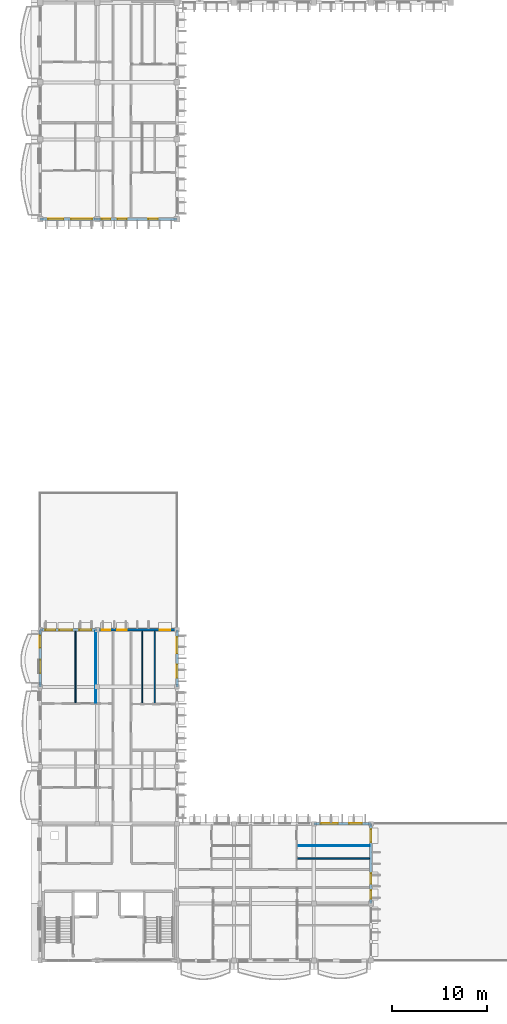
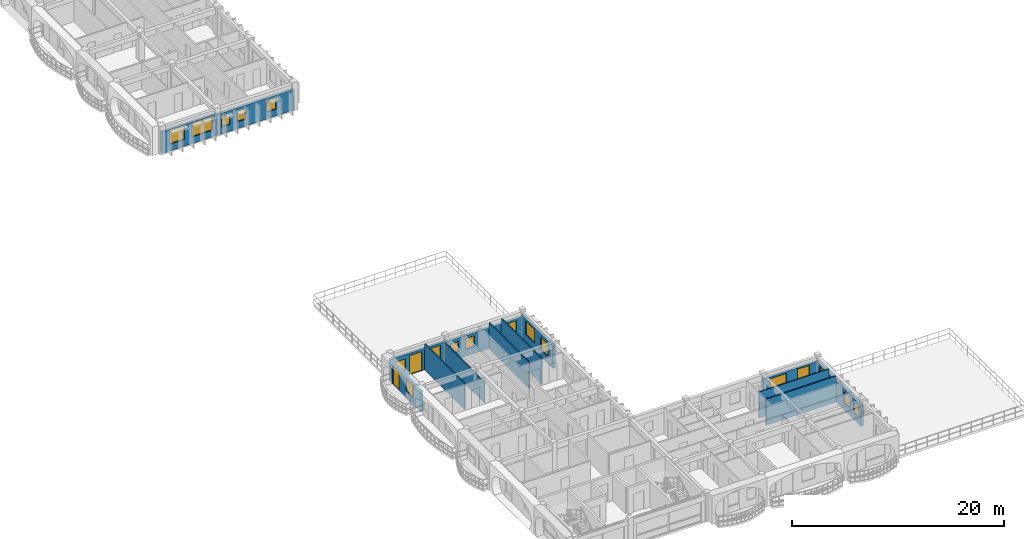
# One storey, part 16 of 59: 16 windows, 14 walls, 4 doors, 20 openings.
"""IFC4 building model written with IfcOpenShell, lengths in metres."""

from ifc_helpers import new_model, si_unit, direction, frame, frame_2d, origin, place, context, subcontext, project, spatial, rectangle, extrude, material, layer, layer_set, type_object, element, fill, save


model = new_model("IFC4")

# Units and contexts
model_context = context("Model", 3, precision=1e-05, world=origin(), true_north=direction((0.0, 1.0)))
body_context = subcontext(model_context, "Body", "Model", "MODEL_VIEW")
ifc_project = project(units=[si_unit("LENGTHUNIT", "METRE"), si_unit("AREAUNIT", "SQUARE_METRE"), si_unit("VOLUMEUNIT", "CUBIC_METRE"), si_unit("PLANEANGLEUNIT", "RADIAN"), si_unit("MASSUNIT", "GRAM", prefix="KILO"), si_unit("THERMODYNAMICTEMPERATUREUNIT", "KELVIN")], contexts=[model_context])

# Site, building, storey
site_placement = place(None, origin())
site = spatial("IfcSite", under=ifc_project, at=site_placement, CompositionType="ELEMENT")
building_placement = place(site_placement, origin())
building = spatial("IfcBuilding", under=site, at=building_placement, Name="Thalorik Housing Commons", CompositionType="ELEMENT")
storey_placement = place(building_placement, frame((0.0, 0.0, 27.89990234375)))
storey = spatial("IfcBuildingStorey", under=building, at=storey_placement, Name="L08", CompositionType="ELEMENT", Elevation=27.89990234375)

# Wall, openings, windows
ifc_material_1 = material(Name="White precast concrete C40/50", Category="concrete")
ifc_layer_1 = layer(ifc_material_1, 0.264892578125, Name="White precast concrete C40/50", Category="concrete")
ifc_layer_set_1 = layer_set([ifc_layer_1], Name="White precast concrete C40/50")
wall_type_1 = type_object("IfcWallType", Name="ARC-WAL-EXT-265", PredefinedType="STANDARD", material=ifc_layer_set_1)
wall_1_placement = place(storey_placement, frame((22.800048828125, 37.199951171875, 0.0), z_axis=(0.0, 0.0, 1.0), x_axis=(0.0, 1.0, 0.0)))
wall_1 = element("IfcWall", 1, at=wall_1_placement, inside=storey, type_object=wall_type_1, Name="L08 Exterior Wall WAL-EXT-L08-C-1047", PredefinedType="STANDARD", context=body_context, shape_type="SweptSolid", body=[
    extrude(rectangle(XDim=6.0, YDim=0.264892578125, at=frame_2d((3.0, 0.0))), origin(), (0.0, 0.0, 1.0), 2.5751953125),
])
opening_1_placement = place(wall_1_placement, frame((0.929931640625, 0.0, 0.780029296875)))
opening_1 = element("IfcOpeningElement", 2, at=opening_1_placement, cuts=wall_1, Name="Opening W-08", PredefinedType="OPENING", context=body_context, shape_type="SweptSolid", body=[
    extrude(rectangle(XDim=1.39990234375, YDim=1.449951171875, at=frame_2d((0.699951171875, 0.72509765625))), frame((0.0, 0.142578125, 0.0), z_axis=(0.0, -1.0, 0.0), x_axis=(1.0, 0.0, 0.0)), (0.0, 0.0, 1.0), 0.284912109375),
])
opening_2_placement = place(wall_1_placement, frame((3.52001953125, 0.0, 0.780029296875)))
opening_2 = element("IfcOpeningElement", 3, at=opening_2_placement, cuts=wall_1, Name="Opening W-16", PredefinedType="OPENING", context=body_context, shape_type="SweptSolid", body=[
    extrude(rectangle(XDim=1.699951171875, YDim=1.60009765625, at=frame_2d((0.85009765625, 0.800048828125))), frame((0.0, 0.142578125, 0.0), z_axis=(0.0, -1.0, 0.0), x_axis=(1.0, 0.0, 0.0)), (0.0, 0.0, 1.0), 0.284912109375),
])
ifc_material_2 = material(Name="Anodised aluminium and solar-control low-E glass", Category="aluminium")
window_type_1 = type_object("IfcWindowType", Name="ARC-WIN-08", PartitioningType="SINGLE_PANEL", PredefinedType="WINDOW", material=ifc_material_2)
window_1_placement = place(opening_1_placement, origin())
window_1 = element("IfcWindow", 4, at=window_1_placement, inside=storey, type_object=window_type_1, Name="L08 Facade Window 1934", OverallHeight=1.449951171875, OverallWidth=1.39990234375, PartitioningType="SINGLE_PANEL", PredefinedType="WINDOW", context=body_context, shape_type="SweptSolid", body=[
    extrude(rectangle(XDim=1.39990234375, YDim=1.449951171875, at=frame_2d((0.699951171875, 0.72509765625))), frame((0.0, 0.030029296875, 0.0), z_axis=(0.0, -1.0, 0.0), x_axis=(1.0, 0.0, 0.0)), (0.0, 0.0, 1.0), 0.06005859375),
])
fill(opening_1, window_1)
window_type_2 = type_object("IfcWindowType", Name="ARC-WIN-16", PartitioningType="DOUBLE_PANEL_VERTICAL", PredefinedType="WINDOW", material=ifc_material_2)
window_2_placement = place(opening_2_placement, origin())
window_2 = element("IfcWindow", 5, at=window_2_placement, inside=storey, type_object=window_type_2, Name="L08 Facade Window 1935", OverallHeight=1.60009765625, OverallWidth=1.699951171875, PartitioningType="DOUBLE_PANEL_VERTICAL", PredefinedType="WINDOW", context=body_context, shape_type="SweptSolid", body=[
    extrude(rectangle(XDim=1.699951171875, YDim=1.60009765625, at=frame_2d((0.85009765625, 0.800048828125))), frame((0.0, 0.030029296875, 0.0), z_axis=(0.0, -1.0, 0.0), x_axis=(1.0, 0.0, 0.0)), (0.0, 0.0, 1.0), 0.06005859375),
])
fill(opening_2, window_2)

# Wall, openings, door, windows
wall_2_placement = place(storey_placement, frame((22.800048828125, 43.199951171875, 0.0), z_axis=(0.0, 0.0, 1.0), x_axis=(-1.0, 0.0, 0.0)))
wall_2 = element("IfcWall", 6, at=wall_2_placement, inside=storey, type_object=wall_type_1, Name="L08 Exterior Wall WAL-EXT-L08-C-1048", PredefinedType="STANDARD", context=body_context, shape_type="SweptSolid", body=[
    extrude(rectangle(XDim=8.400146484375, YDim=0.264892578125, at=frame_2d((4.2001953125, 0.0))), origin(), (0.0, 0.0, 1.0), 2.375),
])
opening_3_placement = place(wall_2_placement, frame((0.6923828125, 0.0, 0.0)))
opening_3 = element("IfcOpeningElement", 7, at=opening_3_placement, cuts=wall_2, Name="Opening ED-0348", PredefinedType="OPENING", context=body_context, shape_type="SweptSolid", body=[
    extrude(rectangle(XDim=1.14990234375, YDim=2.14990234375, at=frame_2d((0.574951171875, 1.074951171875))), frame((0.0, 0.142578125, 0.0), z_axis=(0.0, -1.0, 0.0), x_axis=(1.0, 0.0, 0.0)), (0.0, 0.0, 1.0), 0.284912109375),
])
opening_4_placement = place(wall_2_placement, frame((5.27001953125, 0.0, 0.780029296875)))
opening_4 = element("IfcOpeningElement", 8, at=opening_4_placement, cuts=wall_2, Name="Opening W-02", PredefinedType="OPENING", context=body_context, shape_type="SweptSolid", body=[
    extrude(rectangle(XDim=1.0, YDim=1.25, at=frame_2d((0.5, 0.625))), frame((0.0, 0.142578125, 0.0), z_axis=(0.0, -1.0, 0.0), x_axis=(1.0, 0.0, 0.0)), (0.0, 0.0, 1.0), 0.284912109375),
])
opening_5_placement = place(wall_2_placement, frame((7.014892578125, 0.0, 0.780029296875)))
opening_5 = element("IfcOpeningElement", 9, at=opening_5_placement, cuts=wall_2, Name="Opening W-01", PredefinedType="OPENING", context=body_context, shape_type="SweptSolid", body=[
    extrude(rectangle(XDim=0.89990234375, YDim=1.199951171875, at=frame_2d((0.449951171875, 0.60009765625))), frame((0.0, 0.142578125, 0.0), z_axis=(0.0, -1.0, 0.0), x_axis=(1.0, 0.0, 0.0)), (0.0, 0.0, 1.0), 0.284912109375),
])
ifc_material_3 = material(Name="Anodised aluminium and laminated safety glass", Category="aluminium")
door_type_1 = type_object("IfcDoorType", Name="ARC-DR-TERR-1150", OperationType="NOTDEFINED", PredefinedType="DOOR", material=ifc_material_3)
door_1_placement = place(opening_3_placement, frame((1.14990234375, 0.0, 0.0), z_axis=(0.0, 0.0, 1.0), x_axis=(-1.0, 0.0, 0.0)))
door_1 = element("IfcDoor", 10, at=door_1_placement, inside=storey, type_object=door_type_1, Name="L08 Block C L08 North Roof Terrace Access Door", OperationType="SINGLE_SWING_LEFT", OverallHeight=2.14990234375, OverallWidth=1.14990234375, PredefinedType="DOOR", context=body_context, shape_type="SweptSolid", body=[
    extrude(rectangle(XDim=1.14990234375, YDim=2.14990234375, at=frame_2d((0.574951171875, 1.074951171875))), frame((0.0, 0.02490234375, 0.0), z_axis=(0.0, -1.0, 0.0), x_axis=(1.0, 0.0, 0.0)), (0.0, 0.0, 1.0), 0.050048828125),
])
fill(opening_3, door_1)
window_type_3 = type_object("IfcWindowType", Name="ARC-WIN-01", PartitioningType="SINGLE_PANEL", PredefinedType="WINDOW", material=ifc_material_2)
window_3_placement = place(opening_5_placement, origin())
window_3 = element("IfcWindow", 11, at=window_3_placement, inside=storey, type_object=window_type_3, Name="L08 Facade Window 1937", OverallHeight=1.199951171875, OverallWidth=0.89990234375, PartitioningType="SINGLE_PANEL", PredefinedType="WINDOW", context=body_context, shape_type="SweptSolid", body=[
    extrude(rectangle(XDim=0.89990234375, YDim=1.199951171875, at=frame_2d((0.449951171875, 0.60009765625))), frame((0.0, 0.030029296875, 0.0), z_axis=(0.0, -1.0, 0.0), x_axis=(1.0, 0.0, 0.0)), (0.0, 0.0, 1.0), 0.06005859375),
])
fill(opening_5, window_3)
window_type_4 = type_object("IfcWindowType", Name="ARC-WIN-02", PartitioningType="SINGLE_PANEL", PredefinedType="WINDOW", material=ifc_material_2)
window_4_placement = place(opening_4_placement, origin())
window_4 = element("IfcWindow", 12, at=window_4_placement, inside=storey, type_object=window_type_4, Name="L08 Facade Window 1936", OverallHeight=1.25, OverallWidth=1.0, PartitioningType="SINGLE_PANEL", PredefinedType="WINDOW", context=body_context, shape_type="SweptSolid", body=[
    extrude(rectangle(XDim=1.0, YDim=1.25, at=frame_2d((0.5, 0.625))), frame((0.0, 0.030029296875, 0.0), z_axis=(0.0, -1.0, 0.0), x_axis=(1.0, 0.0, 0.0)), (0.0, 0.0, 1.0), 0.06005859375),
])
fill(opening_4, window_4)

wall_3_placement = place(storey_placement, frame((14.39990234375, 43.199951171875, 0.0), z_axis=(0.0, 0.0, 1.0), x_axis=(-1.0, 0.0, 0.0)))
wall_3 = element("IfcWall", 13, at=wall_3_placement, inside=storey, type_object=wall_type_1, Name="L08 Exterior Wall WAL-EXT-L08-C-1049", PredefinedType="STANDARD", context=body_context, shape_type="SweptSolid", body=[
    extrude(rectangle(XDim=6.0, YDim=0.264892578125, at=frame_2d((3.0, 0.0))), origin(), (0.0, 0.0, 1.0), 2.47509765625),
])
opening_6_placement = place(wall_3_placement, frame((2.63232421875, 0.0, 0.0)))
opening_6 = element("IfcOpeningElement", 14, at=opening_6_placement, cuts=wall_3, Name="Opening ED-0349", PredefinedType="OPENING", context=body_context, shape_type="SweptSolid", body=[
    extrude(rectangle(XDim=1.35009765625, YDim=2.199951171875, at=frame_2d((0.675048828125, 1.10009765625))), frame((0.0, 0.142578125, 0.0), z_axis=(0.0, -1.0, 0.0), x_axis=(1.0, 0.0, 0.0)), (0.0, 0.0, 1.0), 0.284912109375),
])
opening_7_placement = place(wall_3_placement, frame((4.40625, 0.0, 0.780029296875)))
opening_7 = element("IfcOpeningElement", 15, at=opening_7_placement, cuts=wall_3, Name="Opening W-44", PredefinedType="OPENING", context=body_context, shape_type="SweptSolid", body=[
    extrude(rectangle(XDim=1.050048828125, YDim=1.199951171875, at=frame_2d((0.52490234375, 0.60009765625))), frame((0.0, 0.142578125, 0.0), z_axis=(0.0, -1.0, 0.0), x_axis=(1.0, 0.0, 0.0)), (0.0, 0.0, 1.0), 0.284912109375),
])
opening_8_placement = place(wall_3_placement, frame((0.611083984375, 0.0, 0.780029296875)))
opening_8 = element("IfcOpeningElement", 16, at=opening_8_placement, cuts=wall_3, Name="Opening W-47", PredefinedType="OPENING", context=body_context, shape_type="SweptSolid", body=[
    extrude(rectangle(XDim=1.25, YDim=1.449951171875, at=frame_2d((0.625, 0.72509765625))), frame((0.0, 0.142578125, 0.0), z_axis=(0.0, -1.0, 0.0), x_axis=(1.0, 0.0, 0.0)), (0.0, 0.0, 1.0), 0.284912109375),
])
door_type_2 = type_object("IfcDoorType", Name="ARC-DR-TERR-1350", OperationType="NOTDEFINED", PredefinedType="DOOR", material=ifc_material_3)
door_2_placement = place(opening_6_placement, frame((1.35009765625, 0.0, 0.0), z_axis=(0.0, 0.0, 1.0), x_axis=(-1.0, 0.0, 0.0)))
door_2 = element("IfcDoor", 17, at=door_2_placement, inside=storey, type_object=door_type_2, Name="L08 Block C L08 North Roof Terrace Access Door", OperationType="SINGLE_SWING_RIGHT", OverallHeight=2.199951171875, OverallWidth=1.35009765625, PredefinedType="DOOR", context=body_context, shape_type="SweptSolid", body=[
    extrude(rectangle(XDim=1.35009765625, YDim=2.199951171875, at=frame_2d((0.675048828125, 1.10009765625))), frame((0.0, 0.02490234375, 0.0), z_axis=(0.0, -1.0, 0.0), x_axis=(1.0, 0.0, 0.0)), (0.0, 0.0, 1.0), 0.050048828125),
])
fill(opening_6, door_2)
window_type_5 = type_object("IfcWindowType", Name="ARC-WIN-44", PartitioningType="SINGLE_PANEL", PredefinedType="WINDOW", material=ifc_material_2)
window_5_placement = place(opening_7_placement, origin())
window_5 = element("IfcWindow", 18, at=window_5_placement, inside=storey, type_object=window_type_5, Name="L08 Facade Window 1938", OverallHeight=1.199951171875, OverallWidth=1.050048828125, PartitioningType="SINGLE_PANEL", PredefinedType="WINDOW", context=body_context, shape_type="SweptSolid", body=[
    extrude(rectangle(XDim=1.050048828125, YDim=1.199951171875, at=frame_2d((0.52490234375, 0.60009765625))), frame((0.0, 0.030029296875, 0.0), z_axis=(0.0, -1.0, 0.0), x_axis=(1.0, 0.0, 0.0)), (0.0, 0.0, 1.0), 0.06005859375),
])
fill(opening_7, window_5)
window_type_6 = type_object("IfcWindowType", Name="ARC-WIN-47", PartitioningType="SINGLE_PANEL", PredefinedType="WINDOW", material=ifc_material_2)
window_6_placement = place(opening_8_placement, origin())
window_6 = element("IfcWindow", 19, at=window_6_placement, inside=storey, type_object=window_type_6, Name="L08 Facade Window 1939", OverallHeight=1.449951171875, OverallWidth=1.25, PartitioningType="SINGLE_PANEL", PredefinedType="WINDOW", context=body_context, shape_type="SweptSolid", body=[
    extrude(rectangle(XDim=1.25, YDim=1.449951171875, at=frame_2d((0.625, 0.72509765625))), frame((0.0, 0.030029296875, 0.0), z_axis=(0.0, -1.0, 0.0), x_axis=(1.0, 0.0, 0.0)), (0.0, 0.0, 1.0), 0.06005859375),
])
fill(opening_8, window_6)

# Wall, openings, door, window
wall_4_placement = place(storey_placement, frame((8.39990234375, 43.199951171875, 0.0), z_axis=(0.0, 0.0, 1.0), x_axis=(0.0, -1.0, 0.0)))
wall_4 = element("IfcWall", 20, at=wall_4_placement, inside=storey, type_object=wall_type_1, Name="L08 Exterior Wall WAL-EXT-L08-C-1050", PredefinedType="STANDARD", context=body_context, shape_type="SweptSolid", body=[
    extrude(rectangle(XDim=6.0, YDim=0.264892578125, at=frame_2d((3.0, 0.0))), origin(), (0.0, 0.0, 1.0), 2.445068359375),
])
opening_9_placement = place(wall_4_placement, frame((0.6201171875, 0.0, 0.0)))
opening_9 = element("IfcOpeningElement", 21, at=opening_9_placement, cuts=wall_4, Name="Opening ED-0350", PredefinedType="OPENING", context=body_context, shape_type="SweptSolid", body=[
    extrude(rectangle(XDim=1.25, YDim=2.199951171875, at=frame_2d((0.625, 1.10009765625))), frame((0.0, 0.142578125, 0.0), z_axis=(0.0, -1.0, 0.0), x_axis=(1.0, 0.0, 0.0)), (0.0, 0.0, 1.0), 0.284912109375),
])
opening_10_placement = place(wall_4_placement, frame((3.1650390625, 0.0, 0.780029296875)))
opening_10 = element("IfcOpeningElement", 22, at=opening_10_placement, cuts=wall_4, Name="Opening W-08", PredefinedType="OPENING", context=body_context, shape_type="SweptSolid", body=[
    extrude(rectangle(XDim=1.39990234375, YDim=1.449951171875, at=frame_2d((0.699951171875, 0.72509765625))), frame((0.0, 0.142578125, 0.0), z_axis=(0.0, -1.0, 0.0), x_axis=(1.0, 0.0, 0.0)), (0.0, 0.0, 1.0), 0.284912109375),
])
door_type_3 = type_object("IfcDoorType", Name="ARC-DR-BAL-1250", OperationType="NOTDEFINED", PredefinedType="DOOR", material=ifc_material_3)
door_3_placement = place(opening_9_placement, frame((1.25, 0.0, 0.0), z_axis=(0.0, 0.0, 1.0), x_axis=(-1.0, 0.0, 0.0)))
door_3 = element("IfcDoor", 23, at=door_3_placement, inside=storey, type_object=door_type_3, Name="L08 Block C Balcony Glazed Door", OperationType="SINGLE_SWING_LEFT", OverallHeight=2.199951171875, OverallWidth=1.25, PredefinedType="DOOR", context=body_context, shape_type="SweptSolid", body=[
    extrude(rectangle(XDim=1.25, YDim=2.199951171875, at=frame_2d((0.625, 1.10009765625))), frame((0.0, 0.02490234375, 0.0), z_axis=(0.0, -1.0, 0.0), x_axis=(1.0, 0.0, 0.0)), (0.0, 0.0, 1.0), 0.050048828125),
])
fill(opening_9, door_3)
window_7_placement = place(opening_10_placement, origin())
window_7 = element("IfcWindow", 24, at=window_7_placement, inside=storey, type_object=window_type_1, Name="L08 Facade Window 1940", OverallHeight=1.449951171875, OverallWidth=1.39990234375, PartitioningType="SINGLE_PANEL", PredefinedType="WINDOW", context=body_context, shape_type="SweptSolid", body=[
    extrude(rectangle(XDim=1.39990234375, YDim=1.449951171875, at=frame_2d((0.699951171875, 0.72509765625))), frame((0.0, 0.030029296875, 0.0), z_axis=(0.0, -1.0, 0.0), x_axis=(1.0, 0.0, 0.0)), (0.0, 0.0, 1.0), 0.06005859375),
])
fill(opening_10, window_7)

# Wall, openings, door, windows
wall_5_placement = place(storey_placement, frame((43.199951171875, 14.39990234375, 0.0), z_axis=(0.0, 0.0, 1.0), x_axis=(0.0, 1.0, 0.0)))
wall_5 = element("IfcWall", 25, at=wall_5_placement, inside=storey, type_object=wall_type_1, Name="L08 Exterior Wall WAL-EXT-L08-C-1061", PredefinedType="STANDARD", context=body_context, shape_type="SweptSolid", body=[
    extrude(rectangle(XDim=8.400146484375, YDim=0.264892578125, at=frame_2d((4.2001953125, 0.0))), origin(), (0.0, 0.0, 1.0), 2.425048828125),
])
opening_11_placement = place(wall_5_placement, frame((6.45751953125, 0.0, 0.0)))
opening_11 = element("IfcOpeningElement", 26, at=opening_11_placement, cuts=wall_5, Name="Opening ED-0357", PredefinedType="OPENING", context=body_context, shape_type="SweptSolid", body=[
    extrude(rectangle(XDim=1.35009765625, YDim=2.199951171875, at=frame_2d((0.675048828125, 1.10009765625))), frame((0.0, 0.142578125, 0.0), z_axis=(0.0, -1.0, 0.0), x_axis=(1.0, 0.0, 0.0)), (0.0, 0.0, 1.0), 0.284912109375),
])
opening_12_placement = place(wall_5_placement, frame((0.485107421875, 0.0, 0.780029296875)))
opening_12 = element("IfcOpeningElement", 27, at=opening_12_placement, cuts=wall_5, Name="Opening W-01", PredefinedType="OPENING", context=body_context, shape_type="SweptSolid", body=[
    extrude(rectangle(XDim=0.89990234375, YDim=1.199951171875, at=frame_2d((0.449951171875, 0.60009765625))), frame((0.0, 0.142578125, 0.0), z_axis=(0.0, -1.0, 0.0), x_axis=(1.0, 0.0, 0.0)), (0.0, 0.0, 1.0), 0.284912109375),
])
opening_13_placement = place(wall_5_placement, frame((2.080078125, 0.0, 0.780029296875)))
opening_13 = element("IfcOpeningElement", 28, at=opening_13_placement, cuts=wall_5, Name="Opening W-03", PredefinedType="OPENING", context=body_context, shape_type="SweptSolid", body=[
    extrude(rectangle(XDim=1.10009765625, YDim=1.300048828125, at=frame_2d((0.550048828125, 0.64990234375))), frame((0.0, 0.142578125, 0.0), z_axis=(0.0, -1.0, 0.0), x_axis=(1.0, 0.0, 0.0)), (0.0, 0.0, 1.0), 0.284912109375),
])
door_4_placement = place(opening_11_placement, frame((1.35009765625, 0.0, 0.0), z_axis=(0.0, 0.0, 1.0), x_axis=(-1.0, 0.0, 0.0)))
door_4 = element("IfcDoor", 29, at=door_4_placement, inside=storey, type_object=door_type_2, Name="L08 Block C L08 East Roof Terrace Access Door", OperationType="SINGLE_SWING_RIGHT", OverallHeight=2.199951171875, OverallWidth=1.35009765625, PredefinedType="DOOR", context=body_context, shape_type="SweptSolid", body=[
    extrude(rectangle(XDim=1.35009765625, YDim=2.199951171875, at=frame_2d((0.675048828125, 1.10009765625))), frame((0.0, 0.02490234375, 0.0), z_axis=(0.0, -1.0, 0.0), x_axis=(1.0, 0.0, 0.0)), (0.0, 0.0, 1.0), 0.050048828125),
])
fill(opening_11, door_4)
window_8_placement = place(opening_12_placement, origin())
window_8 = element("IfcWindow", 30, at=window_8_placement, inside=storey, type_object=window_type_3, Name="L08 Facade Window 1958", OverallHeight=1.199951171875, OverallWidth=0.89990234375, PartitioningType="SINGLE_PANEL", PredefinedType="WINDOW", context=body_context, shape_type="SweptSolid", body=[
    extrude(rectangle(XDim=0.89990234375, YDim=1.199951171875, at=frame_2d((0.449951171875, 0.60009765625))), frame((0.0, 0.030029296875, 0.0), z_axis=(0.0, -1.0, 0.0), x_axis=(1.0, 0.0, 0.0)), (0.0, 0.0, 1.0), 0.06005859375),
])
fill(opening_12, window_8)
window_type_7 = type_object("IfcWindowType", Name="ARC-WIN-03", PartitioningType="SINGLE_PANEL", PredefinedType="WINDOW", material=ifc_material_2)
window_9_placement = place(opening_13_placement, origin())
window_9 = element("IfcWindow", 31, at=window_9_placement, inside=storey, type_object=window_type_7, Name="L08 Facade Window 1959", OverallHeight=1.300048828125, OverallWidth=1.10009765625, PartitioningType="SINGLE_PANEL", PredefinedType="WINDOW", context=body_context, shape_type="SweptSolid", body=[
    extrude(rectangle(XDim=1.10009765625, YDim=1.300048828125, at=frame_2d((0.550048828125, 0.64990234375))), frame((0.0, 0.030029296875, 0.0), z_axis=(0.0, -1.0, 0.0), x_axis=(1.0, 0.0, 0.0)), (0.0, 0.0, 1.0), 0.06005859375),
])
fill(opening_13, window_9)

# Wall, openings, windows
wall_6_placement = place(storey_placement, frame((43.199951171875, 22.800048828125, 0.0), z_axis=(0.0, 0.0, 1.0), x_axis=(-1.0, 0.0, 0.0)))
wall_6 = element("IfcWall", 32, at=wall_6_placement, inside=storey, type_object=wall_type_1, Name="L08 Exterior Wall WAL-EXT-L08-C-1062", PredefinedType="STANDARD", context=body_context, shape_type="SweptSolid", body=[
    extrude(rectangle(XDim=6.0, YDim=0.264892578125, at=frame_2d((3.0, 0.0))), origin(), (0.0, 0.0, 1.0), 2.47509765625),
])
opening_14_placement = place(wall_6_placement, frame((0.955078125, 0.0, 0.780029296875)))
opening_14 = element("IfcOpeningElement", 33, at=opening_14_placement, cuts=wall_6, Name="Opening W-07", PredefinedType="OPENING", context=body_context, shape_type="SweptSolid", body=[
    extrude(rectangle(XDim=1.35009765625, YDim=1.550048828125, at=frame_2d((0.675048828125, 0.77490234375))), frame((0.0, 0.142578125, 0.0), z_axis=(0.0, -1.0, 0.0), x_axis=(1.0, 0.0, 0.0)), (0.0, 0.0, 1.0), 0.284912109375),
])
opening_15_placement = place(wall_6_placement, frame((3.469970703125, 0.0, 0.780029296875)))
opening_15 = element("IfcOpeningElement", 34, at=opening_15_placement, cuts=wall_6, Name="Opening W-18", PredefinedType="OPENING", context=body_context, shape_type="SweptSolid", body=[
    extrude(rectangle(XDim=1.800048828125, YDim=1.5, at=frame_2d((0.89990234375, 0.75))), frame((0.0, 0.142578125, 0.0), z_axis=(0.0, -1.0, 0.0), x_axis=(1.0, 0.0, 0.0)), (0.0, 0.0, 1.0), 0.284912109375),
])
window_type_8 = type_object("IfcWindowType", Name="ARC-WIN-07", PartitioningType="SINGLE_PANEL", PredefinedType="WINDOW", material=ifc_material_2)
window_10_placement = place(opening_14_placement, origin())
window_10 = element("IfcWindow", 35, at=window_10_placement, inside=storey, type_object=window_type_8, Name="L08 Facade Window 1960", OverallHeight=1.550048828125, OverallWidth=1.35009765625, PartitioningType="SINGLE_PANEL", PredefinedType="WINDOW", context=body_context, shape_type="SweptSolid", body=[
    extrude(rectangle(XDim=1.35009765625, YDim=1.550048828125, at=frame_2d((0.675048828125, 0.77490234375))), frame((0.0, 0.030029296875, 0.0), z_axis=(0.0, -1.0, 0.0), x_axis=(1.0, 0.0, 0.0)), (0.0, 0.0, 1.0), 0.06005859375),
])
fill(opening_14, window_10)
window_type_9 = type_object("IfcWindowType", Name="ARC-WIN-18", PartitioningType="DOUBLE_PANEL_VERTICAL", PredefinedType="WINDOW", material=ifc_material_2)
window_11_placement = place(opening_15_placement, origin())
window_11 = element("IfcWindow", 36, at=window_11_placement, inside=storey, type_object=window_type_9, Name="L08 Facade Window 1961", OverallHeight=1.5, OverallWidth=1.800048828125, PartitioningType="DOUBLE_PANEL_VERTICAL", PredefinedType="WINDOW", context=body_context, shape_type="SweptSolid", body=[
    extrude(rectangle(XDim=1.800048828125, YDim=1.5, at=frame_2d((0.89990234375, 0.75))), frame((0.0, 0.030029296875, 0.0), z_axis=(0.0, -1.0, 0.0), x_axis=(1.0, 0.0, 0.0)), (0.0, 0.0, 1.0), 0.06005859375),
])
fill(opening_15, window_11)

ifc_layer_2 = layer(ifc_material_1, 0.2900390625, Name="White precast concrete C40/50", Category="concrete")
ifc_layer_set_2 = layer_set([ifc_layer_2], Name="White precast concrete C40/50")
wall_type_2 = type_object("IfcWallType", Name="ARC-WAL-EXT-290", PredefinedType="STANDARD", material=ifc_layer_set_2)
wall_7_placement = place(storey_placement, frame((8.39990234375, 86.39990234375, 0.0), z_axis=(0.0, 0.0, 1.0), x_axis=(1.0, 0.0, 0.0)))
wall_7 = element("IfcWall", 37, at=wall_7_placement, inside=storey, type_object=wall_type_2, Name="L08 Exterior Wall WAL-EXT-L08-A-0230", PredefinedType="STANDARD", context=body_context, shape_type="SweptSolid", body=[
    extrude(rectangle(XDim=6.0, YDim=0.2900390625, at=frame_2d((3.0, 0.0))), origin(), (0.0, 0.0, 1.0), 2.47509765625),
])
opening_16_placement = place(wall_7_placement, frame((0.830078125, 0.0, 0.780029296875)))
opening_16 = element("IfcOpeningElement", 38, at=opening_16_placement, cuts=wall_7, Name="Opening W-13", PredefinedType="OPENING", context=body_context, shape_type="SweptSolid", body=[
    extrude(rectangle(XDim=1.60009765625, YDim=1.550048828125, at=frame_2d((0.800048828125, 0.77490234375))), frame((0.0, 0.155029296875, 0.0), z_axis=(0.0, -1.0, 0.0), x_axis=(1.0, 0.0, 0.0)), (0.0, 0.0, 1.0), 0.31005859375),
])
opening_17_placement = place(wall_7_placement, frame((3.27001953125, 0.0, 0.780029296875)))
opening_17 = element("IfcOpeningElement", 39, at=opening_17_placement, cuts=wall_7, Name="Opening W-29", PredefinedType="OPENING", context=body_context, shape_type="SweptSolid", body=[
    extrude(rectangle(XDim=2.199951171875, YDim=1.5, at=frame_2d((1.10009765625, 0.75))), frame((0.0, 0.155029296875, 0.0), z_axis=(0.0, -1.0, 0.0), x_axis=(1.0, 0.0, 0.0)), (0.0, 0.0, 1.0), 0.31005859375),
])
window_type_10 = type_object("IfcWindowType", Name="ARC-WIN-13", PartitioningType="DOUBLE_PANEL_VERTICAL", PredefinedType="WINDOW", material=ifc_material_2)
window_12_placement = place(opening_16_placement, origin())
window_12 = element("IfcWindow", 40, at=window_12_placement, inside=storey, type_object=window_type_10, Name="L08 Facade Window 411", OverallHeight=1.550048828125, OverallWidth=1.60009765625, PartitioningType="DOUBLE_PANEL_VERTICAL", PredefinedType="WINDOW", context=body_context, shape_type="SweptSolid", body=[
    extrude(rectangle(XDim=1.60009765625, YDim=1.550048828125, at=frame_2d((0.800048828125, 0.77490234375))), frame((0.0, 0.030029296875, 0.0), z_axis=(0.0, -1.0, 0.0), x_axis=(1.0, 0.0, 0.0)), (0.0, 0.0, 1.0), 0.06005859375),
])
fill(opening_16, window_12)
window_type_11 = type_object("IfcWindowType", Name="ARC-WIN-29", PartitioningType="DOUBLE_PANEL_VERTICAL", PredefinedType="WINDOW", material=ifc_material_2)
window_13_placement = place(opening_17_placement, origin())
window_13 = element("IfcWindow", 41, at=window_13_placement, inside=storey, type_object=window_type_11, Name="L08 Facade Window 412", OverallHeight=1.5, OverallWidth=2.199951171875, PartitioningType="DOUBLE_PANEL_VERTICAL", PredefinedType="WINDOW", context=body_context, shape_type="SweptSolid", body=[
    extrude(rectangle(XDim=2.199951171875, YDim=1.5, at=frame_2d((1.10009765625, 0.75))), frame((0.0, 0.030029296875, 0.0), z_axis=(0.0, -1.0, 0.0), x_axis=(1.0, 0.0, 0.0)), (0.0, 0.0, 1.0), 0.06005859375),
])
fill(opening_17, window_13)

wall_8_placement = place(storey_placement, frame((14.39990234375, 86.39990234375, 0.0), z_axis=(0.0, 0.0, 1.0), x_axis=(1.0, 0.0, 0.0)))
wall_8 = element("IfcWall", 42, at=wall_8_placement, inside=storey, type_object=wall_type_2, Name="L08 Exterior Wall WAL-EXT-L08-A-0231", PredefinedType="STANDARD", context=body_context, shape_type="SweptSolid", body=[
    extrude(rectangle(XDim=8.400146484375, YDim=0.2900390625, at=frame_2d((4.2001953125, 0.0))), origin(), (0.0, 0.0, 1.0), 2.375),
])
opening_18_placement = place(wall_8_placement, frame((0.485107421875, 0.0, 0.780029296875)))
opening_18 = element("IfcOpeningElement", 43, at=opening_18_placement, cuts=wall_8, Name="Opening W-01", PredefinedType="OPENING", context=body_context, shape_type="SweptSolid", body=[
    extrude(rectangle(XDim=0.89990234375, YDim=1.199951171875, at=frame_2d((0.449951171875, 0.60009765625))), frame((0.0, 0.155029296875, 0.0), z_axis=(0.0, -1.0, 0.0), x_axis=(1.0, 0.0, 0.0)), (0.0, 0.0, 1.0), 0.31005859375),
])
opening_19_placement = place(wall_8_placement, frame((2.155029296875, 0.0, 0.780029296875)))
opening_19 = element("IfcOpeningElement", 44, at=opening_19_placement, cuts=wall_8, Name="Opening W-43", PredefinedType="OPENING", context=body_context, shape_type="SweptSolid", body=[
    extrude(rectangle(XDim=0.949951171875, YDim=1.14990234375, at=frame_2d((0.47509765625, 0.574951171875))), frame((0.0, 0.155029296875, 0.0), z_axis=(0.0, -1.0, 0.0), x_axis=(1.0, 0.0, 0.0)), (0.0, 0.0, 1.0), 0.31005859375),
])
opening_20_placement = place(wall_8_placement, frame((5.39501953125, 0.0, 0.780029296875)))
opening_20 = element("IfcOpeningElement", 45, at=opening_20_placement, cuts=wall_8, Name="Opening W-02", PredefinedType="OPENING", context=body_context, shape_type="SweptSolid", body=[
    extrude(rectangle(XDim=1.0, YDim=1.25, at=frame_2d((0.5, 0.625))), frame((0.0, 0.155029296875, 0.0), z_axis=(0.0, -1.0, 0.0), x_axis=(1.0, 0.0, 0.0)), (0.0, 0.0, 1.0), 0.31005859375),
])
window_14_placement = place(opening_18_placement, origin())
window_14 = element("IfcWindow", 46, at=window_14_placement, inside=storey, type_object=window_type_3, Name="L08 Facade Window 413", OverallHeight=1.199951171875, OverallWidth=0.89990234375, PartitioningType="SINGLE_PANEL", PredefinedType="WINDOW", context=body_context, shape_type="SweptSolid", body=[
    extrude(rectangle(XDim=0.89990234375, YDim=1.199951171875, at=frame_2d((0.449951171875, 0.60009765625))), frame((0.0, 0.030029296875, 0.0), z_axis=(0.0, -1.0, 0.0), x_axis=(1.0, 0.0, 0.0)), (0.0, 0.0, 1.0), 0.06005859375),
])
fill(opening_18, window_14)
window_15_placement = place(opening_20_placement, origin())
window_15 = element("IfcWindow", 47, at=window_15_placement, inside=storey, type_object=window_type_4, Name="L08 Facade Window 415", OverallHeight=1.25, OverallWidth=1.0, PartitioningType="SINGLE_PANEL", PredefinedType="WINDOW", context=body_context, shape_type="SweptSolid", body=[
    extrude(rectangle(XDim=1.0, YDim=1.25, at=frame_2d((0.5, 0.625))), frame((0.0, 0.030029296875, 0.0), z_axis=(0.0, -1.0, 0.0), x_axis=(1.0, 0.0, 0.0)), (0.0, 0.0, 1.0), 0.06005859375),
])
fill(opening_20, window_15)
window_type_12 = type_object("IfcWindowType", Name="ARC-WIN-43", PartitioningType="SINGLE_PANEL", PredefinedType="WINDOW", material=ifc_material_2)
window_16_placement = place(opening_19_placement, origin())
window_16 = element("IfcWindow", 48, at=window_16_placement, inside=storey, type_object=window_type_12, Name="L08 Facade Window 414", OverallHeight=1.14990234375, OverallWidth=0.949951171875, PartitioningType="SINGLE_PANEL", PredefinedType="WINDOW", context=body_context, shape_type="SweptSolid", body=[
    extrude(rectangle(XDim=0.949951171875, YDim=1.14990234375, at=frame_2d((0.47509765625, 0.574951171875))), frame((0.0, 0.030029296875, 0.0), z_axis=(0.0, -1.0, 0.0), x_axis=(1.0, 0.0, 0.0)), (0.0, 0.0, 1.0), 0.06005859375),
])
fill(opening_19, window_16)

# Walls
ifc_material_4 = material(Name="Gypsum light stud partition", Category="masonry")
ifc_layer_3 = layer(ifc_material_4, 0.10009765625, Name="Gypsum light stud partition", Category="masonry")
ifc_layer_set_3 = layer_set([ifc_layer_3], Name="Gypsum light stud partition")
wall_type_3 = type_object("IfcWallType", Name="ARC-WAL-PART-100", PredefinedType="PARTITIONING", material=ifc_layer_set_3)
wall_9_placement = place(storey_placement, frame((14.251220703125, 35.50439453125, 0.0), z_axis=(0.0, 0.0, 1.0), x_axis=(0.0, 1.0, 0.0)))
element("IfcWall", 49, at=wall_9_placement, inside=storey, type_object=wall_type_3, Name="L08 Unit 2 Wet Wall", PredefinedType="PARTITIONING", context=body_context, shape_type="SweptSolid", body=[
    extrude(rectangle(XDim=7.56103515625, YDim=0.10009765625, at=frame_2d((3.780517578125, 0.0))), origin(), (0.0, 0.0, 1.0), 2.425048828125),
])
wall_10_placement = place(storey_placement, frame((35.447509765625, 20.455078125, 0.0), z_axis=(0.0, 0.0, 1.0), x_axis=(1.0, 0.0, 0.0)))
element("IfcWall", 50, at=wall_10_placement, inside=storey, type_object=wall_type_3, Name="L08 Unit 2B Bedroom Partition", PredefinedType="PARTITIONING", context=body_context, shape_type="SweptSolid", body=[
    extrude(rectangle(XDim=7.617919921875, YDim=0.10009765625, at=frame_2d((3.80908203125, 0.0))), origin(), (0.0, 0.0, 1.0), 3.0),
])
ifc_material_5 = material(Name="Gypsum moisture-resistant partition", Category="masonry")
ifc_layer_4 = layer(ifc_material_5, 0.114990234375, Name="Gypsum moisture-resistant partition", Category="masonry")
ifc_layer_set_4 = layer_set([ifc_layer_4], Name="Gypsum moisture-resistant partition")
wall_type_4 = type_object("IfcWallType", Name="ARC-WAL-PART-115", PredefinedType="PARTITIONING", material=ifc_layer_set_4)
wall_11_placement = place(storey_placement, frame((12.11767578125, 35.50439453125, 0.0), z_axis=(0.0, 0.0, 1.0), x_axis=(0.0, 1.0, 0.0)))
element("IfcWall", 51, at=wall_11_placement, inside=storey, type_object=wall_type_4, Name="L08 Unit 2 Bedroom Partition", PredefinedType="PARTITIONING", context=body_context, shape_type="SweptSolid", body=[
    extrude(rectangle(XDim=7.56103515625, YDim=0.114990234375, at=frame_2d((3.780517578125, 0.0))), origin(), (0.0, 0.0, 1.0), 3.0),
])
wall_12_placement = place(storey_placement, frame((19.122314453125, 35.4599609375, 0.0), z_axis=(0.0, 0.0, 1.0), x_axis=(0.0, 1.0, 0.0)))
element("IfcWall", 52, at=wall_12_placement, inside=storey, type_object=wall_type_4, Name="L08 Unit 2B Wet Wall", PredefinedType="PARTITIONING", context=body_context, shape_type="SweptSolid", body=[
    extrude(rectangle(XDim=7.60546875, YDim=0.114990234375, at=frame_2d((3.802734375, 0.0))), origin(), (0.0, 0.0, 1.0), 3.0),
])
ifc_material_6 = material(Name="Gypsum acoustic stud partition", Category="masonry")
ifc_layer_5 = layer(ifc_material_6, 0.125, Name="Gypsum acoustic stud partition", Category="masonry")
ifc_layer_set_5 = layer_set([ifc_layer_5], Name="Gypsum acoustic stud partition")
wall_type_5 = type_object("IfcWallType", Name="ARC-WAL-PART-125", PredefinedType="PARTITIONING", material=ifc_layer_set_5)
wall_13_placement = place(storey_placement, frame((20.455078125, 35.4599609375, 0.0), z_axis=(0.0, 0.0, 1.0), x_axis=(0.0, 1.0, 0.0)))
element("IfcWall", 53, at=wall_13_placement, inside=storey, type_object=wall_type_5, Name="L08 Unit 2B Bedroom Partition", PredefinedType="PARTITIONING", context=body_context, shape_type="SweptSolid", body=[
    extrude(rectangle(XDim=7.60546875, YDim=0.125, at=frame_2d((3.802734375, 0.0))), origin(), (0.0, 0.0, 1.0), 3.0),
])
ifc_material_7 = material(Name="Ceramic masonry partition wall", Category="masonry")
ifc_layer_6 = layer(ifc_material_7, 0.139892578125, Name="Ceramic masonry partition wall", Category="masonry")
ifc_layer_set_6 = layer_set([ifc_layer_6], Name="Ceramic masonry partition wall")
wall_type_6 = type_object("IfcWallType", Name="ARC-WAL-PART-140", PredefinedType="PARTITIONING", material=ifc_layer_set_6)
wall_14_placement = place(storey_placement, frame((35.447509765625, 19.122314453125, 0.0), z_axis=(0.0, 0.0, 1.0), x_axis=(1.0, 0.0, 0.0)))
element("IfcWall", 54, at=wall_14_placement, inside=storey, type_object=wall_type_6, Name="L08 Unit 2B Wet Wall", PredefinedType="PARTITIONING", context=body_context, shape_type="SweptSolid", body=[
    extrude(rectangle(XDim=7.617919921875, YDim=0.139892578125, at=frame_2d((3.80908203125, 0.0))), origin(), (0.0, 0.0, 1.0), 3.0),
])

save(model, "model.ifc")
